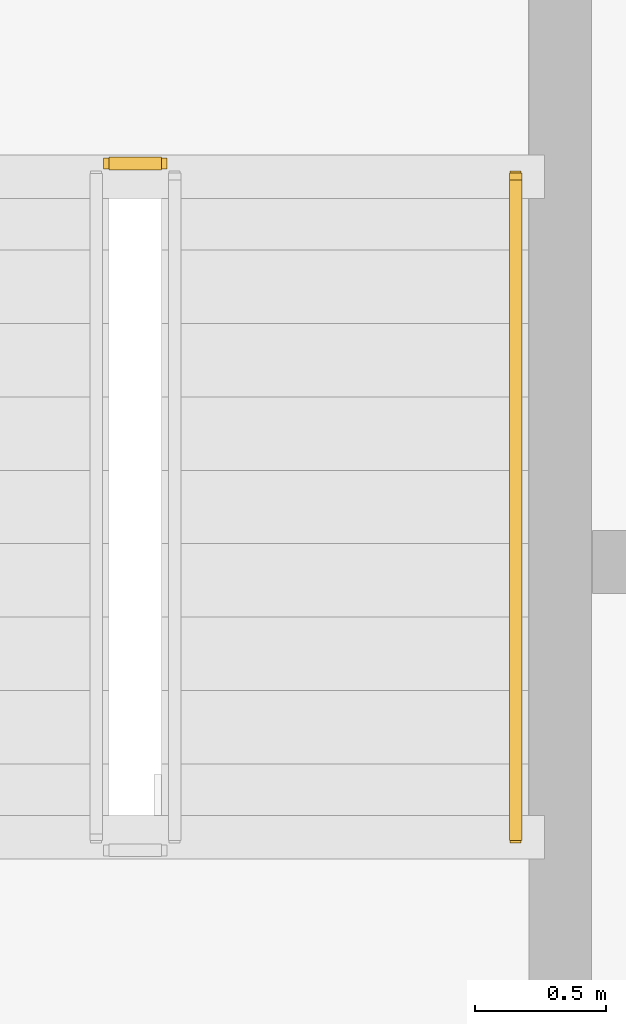
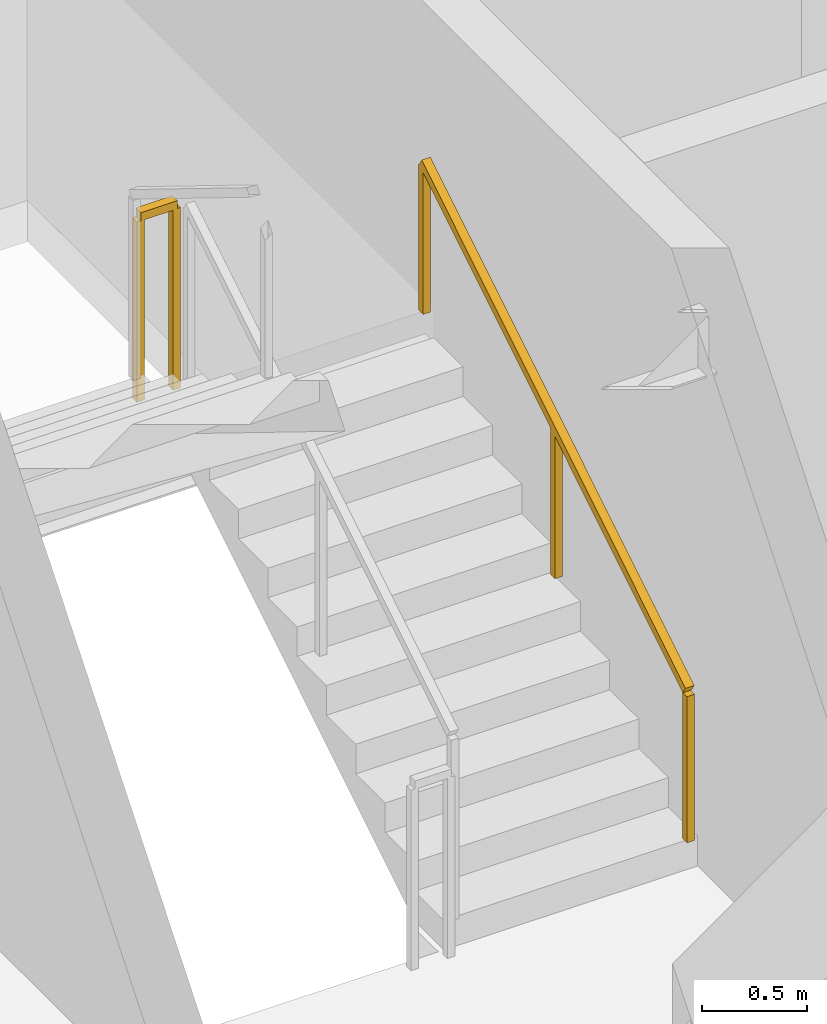
# One storey, part 10 of 11: 2 railings.
"""IFC4 building model written with IfcOpenShell, lengths in metres."""

from ifc_helpers import new_model, si_unit, direction, frame, origin, origin_2d, place, context, subcontext, project, spatial, rectangle, extrude, material, type_object, element, save


model = new_model("IFC4")

# Units and contexts
model_context = context("Model", 3, precision=1e-05, world=origin(), true_north=direction((0.0, 1.0)))
body_context = subcontext(model_context, "Body", "Model", "MODEL_VIEW")
ifc_project = project(units=[si_unit("LENGTHUNIT", "METRE"), si_unit("AREAUNIT", "SQUARE_METRE"), si_unit("VOLUMEUNIT", "CUBIC_METRE"), si_unit("PLANEANGLEUNIT", "RADIAN"), si_unit("MASSUNIT", "GRAM", prefix="KILO")], contexts=[model_context])

# Site, building, storey
site_placement = place(None, origin())
site = spatial("IfcSite", under=ifc_project, at=site_placement, CompositionType="ELEMENT")
building_placement = place(site_placement, origin())
building = spatial("IfcBuilding", under=site, at=building_placement, Name="Haldorwick Loom Tower", CompositionType="ELEMENT")
storey_placement = place(building_placement, frame((0.0, 0.0, 208.300048828125)))
storey = spatial("IfcBuildingStorey", under=building, at=storey_placement, Name="L56", CompositionType="ELEMENT", Elevation=208.300048828125)

# Railings
ifc_material = material(Name="Steel CSA G40.21 350W", Category="steel")
railing_type_1 = type_object("IfcRailingType", Name="ARC-RLG-GUARD112", PredefinedType="GUARDRAIL", material=ifc_material)
railing_1_placement = place(storey_placement, frame((31.85009765625, 30.969970703125, 1.724853515625)))
element("IfcRailing", 1, at=railing_1_placement, inside=storey, type_object=railing_type_1, Name="L56 ST-03 stair guard 2", PredefinedType="GUARDRAIL", context=body_context, shape_type="SweptSolid", body=[
    extrude(rectangle(XDim=0.048095703125, YDim=0.048095703125, at=origin_2d()), frame((0.0, 0.0, 1.076171875), z_axis=(-1.0, 0.0, 0.0), x_axis=(0.0, -1.0, 0.0)), (0.0, 0.0, 1.0), 0.2001953125),
    extrude(rectangle(XDim=0.0419921875, YDim=0.0419921875, at=origin_2d()), origin(), (0.0, 0.0, 1.0), 1.052001953125),
    extrude(rectangle(XDim=0.0419921875, YDim=0.0419921875, at=origin_2d()), frame((-0.2001953125, 0.0, 0.0)), (0.0, 0.0, 1.0), 1.052001953125),
])
railing_type_2 = type_object("IfcRailingType", Name="ARC-RLG-HAND092", PredefinedType="HANDRAIL", material=ifc_material)
railing_2_placement = place(storey_placement, frame((33.199951171875, 28.39990234375, 0.17236328125)))
element("IfcRailing", 2, at=railing_2_placement, inside=storey, type_object=railing_type_2, Name="L56 ST-03 stair handrail 1", PredefinedType="HANDRAIL", context=body_context, shape_type="SweptSolid", body=[
    extrude(rectangle(XDim=0.048095703125, YDim=0.048095703125, at=origin_2d()), frame((0.0, 0.0, 0.8759765625), z_axis=(0.0, 0.851400495292, 0.524516154772), x_axis=(-1.0, 0.0, 0.0)), (0.0, 0.0, 1.0), 2.9599609375),
    extrude(rectangle(XDim=0.0419921875, YDim=0.0419921875, at=origin_2d()), origin(), (0.0, 0.0, 1.0), 0.851806640625),
    extrude(rectangle(XDim=0.0419921875, YDim=0.0419921875, at=origin_2d()), frame((0.0, 1.260009765625, 0.7763671875)), (0.0, 0.0, 1.0), 0.851806640625),
    extrude(rectangle(XDim=0.0419921875, YDim=0.0419921875, at=origin_2d()), frame((0.0, 2.52001953125, 1.552490234375)), (0.0, 0.0, 1.0), 0.851806640625),
])

save(model, "model.ifc")
